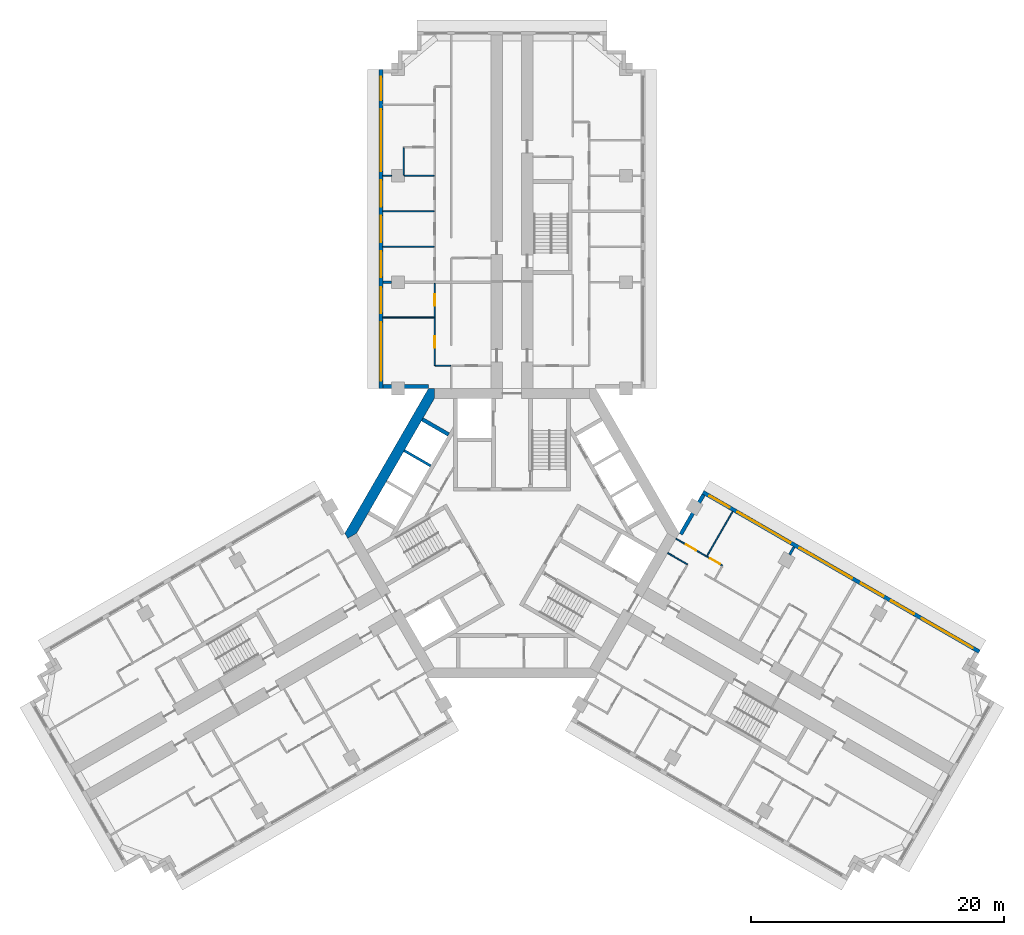
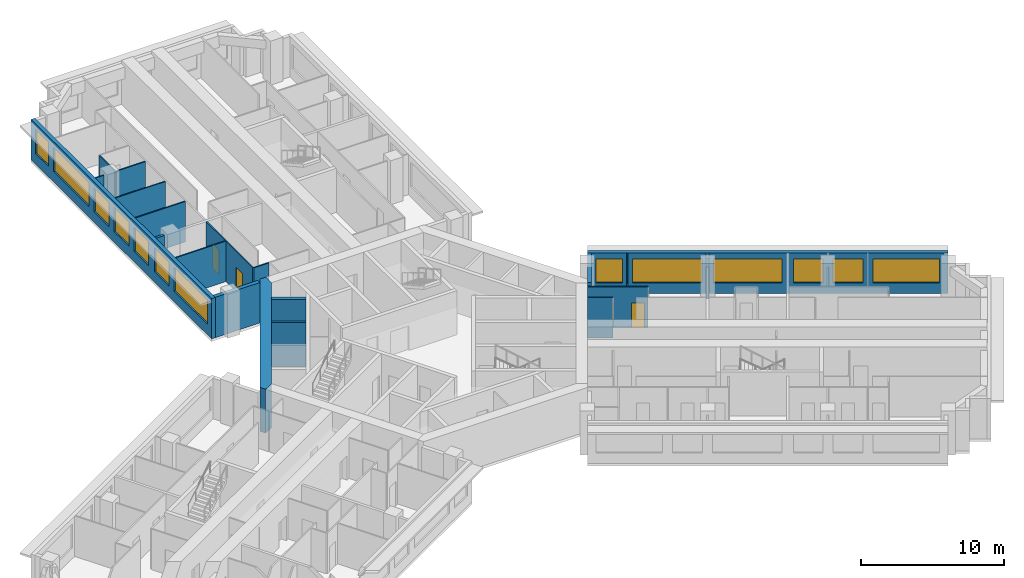
# One storey, part 7 of 12: 20 walls, 13 windows, 4 doors, 17 openings.
"""IFC4 building model written with IfcOpenShell, lengths in metres."""

import ifcopenshell
import ifcopenshell.guid

model = None  # the IFC model being written
_history = None  # IfcOwnerHistory: only IFC2X3 demands one
_inside = {}  # id of a spatial element -> (the spatial element, [elements in it])
_under = {}  # id of a project, library or spatial element -> (it, [spatial elements below it])
_declared = {}  # id of a project -> (the project, [libraries it declares])
_typed = {}  # id of a type object -> (the type object, [elements of that type])
_made_of = {}  # id of a material, layer set ... -> (it, [elements and type objects made of it])


def new_model(schema):
    """Start an empty IFC model of exactly this schema.

    Asked for "IFC4X3", IfcOpenShell would pick the latest addendum, in which some entities
    have other attributes; the version numbers below select the first issue.
    IFC2X3 requires an IfcOwnerHistory on every rooted entity: one is made here for all.
    """
    global model, _history
    if schema == "IFC4X3":
        model = ifcopenshell.file(schema_version=(4, 3, 0, 0))
    else:
        model = ifcopenshell.file(schema=schema)
    _inside.clear()
    _under.clear()
    _declared.clear()
    _typed.clear()
    _made_of.clear()
    _history = None
    if model.schema == "IFC2X3":
        org = make("IfcOrganization", Name="unknown")
        user = make(
            "IfcPersonAndOrganization",
            ThePerson=make("IfcPerson", FamilyName="unknown"),
            TheOrganization=org,
        )
        app = make(
            "IfcApplication",
            ApplicationDeveloper=org,
            Version="unknown",
            ApplicationFullName="unknown",
            ApplicationIdentifier="unknown",
        )
        _history = make(
            "IfcOwnerHistory",
            OwningUser=user,
            OwningApplication=app,
            ChangeAction="ADDED",
            CreationDate=0,
        )
    return model


def make(cls, **values):
    """One entity of the class cls with the attributes given. An attribute that is None is left unset."""
    return model.create_entity(
        cls, **{name: value for name, value in values.items() if value is not None}
    )


def rooted(cls, **values):
    """An entity with a GlobalId (a new one), such as an element, a storey or a relation."""
    return make(cls, GlobalId=ifcopenshell.guid.new(), OwnerHistory=_history, **values)


def si_unit(unit_type, name, prefix=None):
    """IfcSIUnit, for example si_unit("LENGTHUNIT", "METRE", prefix="MILLI")."""
    return make("IfcSIUnit", UnitType=unit_type, Prefix=prefix, Name=name)


def assignment(units):
    """IfcUnitAssignment: the units of a project."""
    return None if units is None else make("IfcUnitAssignment", Units=units)


def point(xyz):
    """IfcCartesianPoint."""
    return None if xyz is None else make("IfcCartesianPoint", Coordinates=xyz)


def direction(xyz):
    """IfcDirection."""
    return None if xyz is None else make("IfcDirection", DirectionRatios=xyz)


def frame(location, z_axis=None, x_axis=None):
    """IfcAxis2Placement3D, a coordinate frame: its origin and axes. An axis left out is left unset."""
    return make(
        "IfcAxis2Placement3D",
        Location=point(location),
        Axis=direction(z_axis),
        RefDirection=direction(x_axis),
    )


def frame_2d(location, x_axis=None):
    """IfcAxis2Placement2D, a coordinate frame in the plane: its origin and x axis."""
    return make(
        "IfcAxis2Placement2D", Location=point(location), RefDirection=direction(x_axis)
    )


def origin():
    """The frame at (0, 0, 0) with its axes left unset."""
    return frame((0.0, 0.0, 0.0))


def place(relative_to, where):
    """IfcLocalPlacement: puts the frame where relative to a parent placement (None: the world)."""
    return make(
        "IfcLocalPlacement", PlacementRelTo=relative_to, RelativePlacement=where
    )


def context(
    kind, dimensions, precision=None, world=None, true_north=None, identifier=None
):
    """IfcGeometricRepresentationContext, for example the 3D "Model" context."""
    return make(
        "IfcGeometricRepresentationContext",
        ContextIdentifier=identifier,
        ContextType=kind,
        CoordinateSpaceDimension=dimensions,
        Precision=precision,
        WorldCoordinateSystem=world,
        TrueNorth=true_north,
    )


def subcontext(parent, identifier, kind, view, scale=None):
    """IfcGeometricRepresentationSubContext, for example "Body" below "Model"."""
    return make(
        "IfcGeometricRepresentationSubContext",
        ContextIdentifier=identifier,
        ContextType=kind,
        ParentContext=parent,
        TargetScale=scale,
        TargetView=view,
    )


def project(units=None, contexts=None):
    """IfcProject with its units and contexts."""
    return rooted(
        "IfcProject",
        Name="project",
        RepresentationContexts=contexts,
        UnitsInContext=assignment(units),
    )


def spatial(cls, under=None, at=None, **own):
    """A site, building, storey or space (cls), placed at a placement, below another one or the project."""
    s = rooted(cls, ObjectPlacement=at, **own)
    if under is not None:
        _under.setdefault(under.id(), (under, []))[1].append(s)
    return s


def polyline(points):
    """IfcPolyline through the points."""
    return make("IfcPolyline", Points=[point(p) for p in points])


def profile(cls, at=None, kind="AREA", **sizes):
    """A parametric profile (cls). Its sizes go by their IFC names, for example OverallWidth=200.0."""
    return make(cls, ProfileType=kind, Position=at, **sizes)


def rectangle(**sizes):
    """IfcRectangleProfileDef."""
    return profile("IfcRectangleProfileDef", **sizes)


def outline(outer, holes=None, kind="AREA"):
    """IfcArbitraryClosedProfileDef: a profile drawn as a closed curve; with holes, ...WithVoids."""
    if holes is None:
        return make("IfcArbitraryClosedProfileDef", ProfileType=kind, OuterCurve=outer)
    return make(
        "IfcArbitraryProfileDefWithVoids",
        ProfileType=kind,
        OuterCurve=outer,
        InnerCurves=holes,
    )


def extrude(swept, where, along, depth):
    """IfcExtrudedAreaSolid: the profile swept, set in the frame where, extruded along a direction by depth."""
    return make(
        "IfcExtrudedAreaSolid",
        SweptArea=swept,
        Position=where,
        ExtrudedDirection=direction(along),
        Depth=depth,
    )


def shape(context_of_items, identifier, shape_type, items):
    """IfcShapeRepresentation: the items that make up one representation, for example the "Body"."""
    return make(
        "IfcShapeRepresentation",
        ContextOfItems=context_of_items,
        RepresentationIdentifier=identifier,
        RepresentationType=shape_type,
        Items=items,
    )


def material(Name=None, Category=None):
    """IfcMaterial."""
    return make("IfcMaterial", Name=Name, Category=Category)


def layer(
    of_material, thickness, ventilated=None, Name=None, Category=None, Priority=None
):
    """IfcMaterialLayer: one layer of a wall or slab, of a material (None: an air gap)."""
    return make(
        "IfcMaterialLayer",
        Material=of_material,
        LayerThickness=thickness,
        IsVentilated=ventilated,
        Name=Name,
        Category=Category,
        Priority=Priority,
    )


def layer_set(layers, Name=None):
    """IfcMaterialLayerSet."""
    return make("IfcMaterialLayerSet", MaterialLayers=layers, LayerSetName=Name)


def made_of(thing, what):
    """Note that an element or type object is made of a material, layer set ...; save() writes the relation."""
    if what is not None:
        _made_of.setdefault(what.id(), (what, []))[1].append(thing)
    return thing


def type_object(cls, material=None, **own):
    """A type object (cls), such as IfcWallType, which elements share."""
    return made_of(rooted(cls, **own), material)


def element(
    cls,
    number,
    at=None,
    inside=None,
    cuts=None,
    type_object=None,
    material=None,
    context=None,
    identifier="Body",
    shape_type=None,
    held_by="IfcProductDefinitionShape",
    body=None,
    shapes=None,
    **own,
):
    """One element of the class cls, such as IfcWall. Its Tag is "e" and its number.

    at: its placement. inside: the storey or other place that contains it. cuts: it is an
    opening in that element (IfcRelVoidsElement). A single representation is given by context,
    identifier, shape_type and body (its items); several are given by shapes. held_by: the class
    of the entity that holds the representations. save() writes the other relations.
    """
    e = rooted(cls, Tag="e%d" % number, ObjectPlacement=at, **own)
    if body is not None:
        shapes = [shape(context, identifier, shape_type, body)]
    if shapes is not None:
        e.Representation = make(held_by, Representations=shapes)
    if inside is not None:
        _inside.setdefault(inside.id(), (inside, []))[1].append(e)
    if cuts is not None:
        rooted(
            "IfcRelVoidsElement", RelatingBuildingElement=cuts, RelatedOpeningElement=e
        )
    if type_object is not None:
        _typed.setdefault(type_object.id(), (type_object, []))[1].append(e)
    return made_of(e, material)


def fill(opening, filler):
    """IfcRelFillsElement: the door or window that sits in an opening."""
    return rooted(
        "IfcRelFillsElement",
        RelatingOpeningElement=opening,
        RelatedBuildingElement=filler,
    )


def aggregate(whole, parts):
    """IfcRelAggregates: a whole, such as a stair, and the parts it consists of."""
    return rooted("IfcRelAggregates", RelatingObject=whole, RelatedObjects=parts)


def save(model, path):
    """Write the relations noted so far, then the file.

    IfcRelAggregates (storeys below a building ...), IfcRelContainedInSpatialStructure (elements
    in a storey), IfcRelDefinesByType, IfcRelAssociatesMaterial and IfcRelDeclares: one each for
    every whole, place, type object, material and project.
    """
    for whole, parts in _under.values():
        aggregate(whole, parts)
    for where, things in _inside.values():
        rooted(
            "IfcRelContainedInSpatialStructure",
            RelatedElements=things,
            RelatingStructure=where,
        )
    for kind, things in _typed.values():
        rooted("IfcRelDefinesByType", RelatedObjects=things, RelatingType=kind)
    for what, things in _made_of.values():
        rooted("IfcRelAssociatesMaterial", RelatedObjects=things, RelatingMaterial=what)
    for by, libraries in _declared.values():
        rooted("IfcRelDeclares", RelatingContext=by, RelatedDefinitions=libraries)
    model.write(path)


model = new_model("IFC4")

# Units and contexts
model_context = context("Model", 3, precision=1e-05, world=origin(), true_north=direction((0.0, 1.0)))
body_context = subcontext(model_context, "Body", "Model", "MODEL_VIEW")
ifc_project = project(units=[si_unit("LENGTHUNIT", "METRE"), si_unit("AREAUNIT", "SQUARE_METRE"), si_unit("VOLUMEUNIT", "CUBIC_METRE"), si_unit("PLANEANGLEUNIT", "RADIAN"), si_unit("MASSUNIT", "GRAM", prefix="KILO")], contexts=[model_context])

# Site, building, storey
site_placement = place(None, origin())
site = spatial("IfcSite", under=ifc_project, at=site_placement, CompositionType="ELEMENT")
building_placement = place(site_placement, origin())
building = spatial("IfcBuilding", under=site, at=building_placement, Name="Impinga Residences", CompositionType="ELEMENT")
storey_placement = place(building_placement, frame((0.0, 0.0, 177.25)))
storey = spatial("IfcBuildingStorey", under=building, at=storey_placement, Name="L44", CompositionType="ELEMENT", Elevation=177.25)

# Wall
ifc_material_1 = material(Name="Terracotta rainscreen on blockwork", Category="masonry")
ifc_layer_1 = layer(ifc_material_1, 0.300048828125)
ifc_layer_set_1 = layer_set([ifc_layer_1], Name="EW1 external wall, terracotta rainscreen on blockwork 300")
wall_type_1 = type_object("IfcWallType", Name="EW1 external wall, terracotta rainscreen on blockwork 300", PredefinedType="SOLIDWALL", material=ifc_layer_set_1)
wall_1_placement = place(storey_placement, frame((-6.60009765625, 11.58154296875, 0.0), z_axis=(0.0, 0.0, 1.0), x_axis=(-1.0, 0.0, 0.0)))
element("IfcWall", 1, at=wall_1_placement, inside=storey, type_object=wall_type_1, Name="External wall EW1 L44", PredefinedType="SOLIDWALL", context=body_context, shape_type="SweptSolid", body=[
    extrude(rectangle(XDim=3.599853515625, YDim=0.300048828125, at=frame_2d((1.7998046875, 0.0))), origin(), (0.0, 0.0, 1.0), 3.449951171875),
])

# Wall, openings, windows
wall_2_placement = place(storey_placement, frame((-10.35009765625, 11.431640625, 0.0), z_axis=(0.0, 0.0, 1.0), x_axis=(0.0, 1.0, 0.0)))
wall_2 = element("IfcWall", 2, at=wall_2_placement, inside=storey, type_object=wall_type_1, Name="External wall EW1 L44", PredefinedType="SOLIDWALL", context=body_context, shape_type="SweptSolid", body=[
    extrude(rectangle(XDim=25.199951171875, YDim=0.300048828125, at=frame_2d((12.60009765625, 0.0))), origin(), (0.0, 0.0, 1.0), 3.449951171875),
])
opening_1_placement = place(wall_2_placement, frame((0.60009765625, 0.0, 0.89990234375)))
opening_1 = element("IfcOpeningElement", 3, at=opening_1_placement, cuts=wall_2, Name="Opening W10", PredefinedType="OPENING", context=body_context, shape_type="SweptSolid", body=[
    extrude(rectangle(XDim=4.64990234375, YDim=2.050048828125, at=frame_2d((2.324951171875, 1.02490234375))), frame((0.0, 0.159912109375, 0.0), z_axis=(0.0, -1.0, 0.0), x_axis=(1.0, 0.0, 0.0)), (0.0, 0.0, 1.0), 0.320068359375),
])
opening_2_placement = place(wall_2_placement, frame((5.949951171875, 0.0, 0.89990234375)))
opening_2 = element("IfcOpeningElement", 4, at=opening_2_placement, cuts=wall_2, Name="Opening W14", PredefinedType="OPENING", context=body_context, shape_type="SweptSolid", body=[
    extrude(rectangle(XDim=2.050048828125, YDim=2.050048828125, at=frame_2d((1.02490234375, 1.02490234375))), frame((0.0, 0.159912109375, 0.0), z_axis=(0.0, -1.0, 0.0), x_axis=(1.0, 0.0, 0.0)), (0.0, 0.0, 1.0), 0.320068359375),
])
opening_3_placement = place(wall_2_placement, frame((8.800048828125, 0.0, 0.89990234375)))
opening_3 = element("IfcOpeningElement", 5, at=opening_3_placement, cuts=wall_2, Name="Opening W14", PredefinedType="OPENING", context=body_context, shape_type="SweptSolid", body=[
    extrude(rectangle(XDim=2.050048828125, YDim=2.050048828125, at=frame_2d((1.02490234375, 1.02490234375))), frame((0.0, 0.159912109375, 0.0), z_axis=(0.0, -1.0, 0.0), x_axis=(1.0, 0.0, 0.0)), (0.0, 0.0, 1.0), 0.320068359375),
])
opening_4_placement = place(wall_2_placement, frame((11.550048828125, 0.0, 0.89990234375)))
opening_4 = element("IfcOpeningElement", 6, at=opening_4_placement, cuts=wall_2, Name="Opening W9", PredefinedType="OPENING", context=body_context, shape_type="SweptSolid", body=[
    extrude(rectangle(XDim=2.10009765625, YDim=2.050048828125, at=frame_2d((1.050048828125, 1.02490234375))), frame((0.0, 0.159912109375, 0.0), z_axis=(0.0, -1.0, 0.0), x_axis=(1.0, 0.0, 0.0)), (0.0, 0.0, 1.0), 0.320068359375),
])
opening_5_placement = place(wall_2_placement, frame((14.35009765625, 0.0, 0.89990234375)))
opening_5 = element("IfcOpeningElement", 7, at=opening_5_placement, cuts=wall_2, Name="Opening W9", PredefinedType="OPENING", context=body_context, shape_type="SweptSolid", body=[
    extrude(rectangle(XDim=2.10009765625, YDim=2.050048828125, at=frame_2d((1.050048828125, 1.02490234375))), frame((0.0, 0.159912109375, 0.0), z_axis=(0.0, -1.0, 0.0), x_axis=(1.0, 0.0, 0.0)), (0.0, 0.0, 1.0), 0.320068359375),
])
opening_6_placement = place(wall_2_placement, frame((17.14990234375, 0.0, 0.89990234375)))
opening_6 = element("IfcOpeningElement", 8, at=opening_6_placement, cuts=wall_2, Name="Opening W16", PredefinedType="OPENING", context=body_context, shape_type="SweptSolid", body=[
    extrude(rectangle(XDim=4.89990234375, YDim=2.050048828125, at=frame_2d((2.449951171875, 1.02490234375))), frame((0.0, 0.159912109375, 0.0), z_axis=(0.0, -1.0, 0.0), x_axis=(1.0, 0.0, 0.0)), (0.0, 0.0, 1.0), 0.320068359375),
])
opening_7_placement = place(wall_2_placement, frame((22.75, 0.0, 0.89990234375)))
opening_7 = element("IfcOpeningElement", 9, at=opening_7_placement, cuts=wall_2, Name="Opening W15", PredefinedType="OPENING", context=body_context, shape_type="SweptSolid", body=[
    extrude(rectangle(XDim=1.85009765625, YDim=2.050048828125, at=frame_2d((0.925048828125, 1.02490234375))), frame((0.0, 0.159912109375, 0.0), z_axis=(0.0, -1.0, 0.0), x_axis=(1.0, 0.0, 0.0)), (0.0, 0.0, 1.0), 0.320068359375),
])
ifc_material_2 = material(Name="Aluminium window, clear double glazing", Category="aluminium")
window_type_1 = type_object("IfcWindowType", Name="W10 ribbon window 4650x2050", PartitioningType="SINGLE_PANEL", PredefinedType="WINDOW", material=ifc_material_2)
window_1_placement = place(opening_1_placement, origin())
window_1 = element("IfcWindow", 10, at=window_1_placement, inside=storey, type_object=window_type_1, Name="Window L44", OverallHeight=2.050048828125, OverallWidth=4.64990234375, PartitioningType="SINGLE_PANEL", PredefinedType="WINDOW", context=body_context, shape_type="SweptSolid", body=[
    extrude(rectangle(XDim=4.64990234375, YDim=2.050048828125, at=frame_2d((2.324951171875, 1.02490234375))), frame((0.0, 0.030029296875, 0.0), z_axis=(0.0, -1.0, 0.0), x_axis=(1.0, 0.0, 0.0)), (0.0, 0.0, 1.0), 0.06005859375),
])
fill(opening_1, window_1)
window_type_2 = type_object("IfcWindowType", Name="W14 ribbon window 2050x2050", PartitioningType="SINGLE_PANEL", PredefinedType="WINDOW", material=ifc_material_2)
window_2_placement = place(opening_2_placement, origin())
window_2 = element("IfcWindow", 11, at=window_2_placement, inside=storey, type_object=window_type_2, Name="Window L44", OverallHeight=2.050048828125, OverallWidth=2.050048828125, PartitioningType="SINGLE_PANEL", PredefinedType="WINDOW", context=body_context, shape_type="SweptSolid", body=[
    extrude(rectangle(XDim=2.050048828125, YDim=2.050048828125, at=frame_2d((1.02490234375, 1.02490234375))), frame((0.0, 0.030029296875, 0.0), z_axis=(0.0, -1.0, 0.0), x_axis=(1.0, 0.0, 0.0)), (0.0, 0.0, 1.0), 0.06005859375),
])
fill(opening_2, window_2)
window_3_placement = place(opening_3_placement, origin())
window_3 = element("IfcWindow", 12, at=window_3_placement, inside=storey, type_object=window_type_2, Name="Window L44", OverallHeight=2.050048828125, OverallWidth=2.050048828125, PartitioningType="SINGLE_PANEL", PredefinedType="WINDOW", context=body_context, shape_type="SweptSolid", body=[
    extrude(rectangle(XDim=2.050048828125, YDim=2.050048828125, at=frame_2d((1.02490234375, 1.02490234375))), frame((0.0, 0.030029296875, 0.0), z_axis=(0.0, -1.0, 0.0), x_axis=(1.0, 0.0, 0.0)), (0.0, 0.0, 1.0), 0.06005859375),
])
fill(opening_3, window_3)
window_type_3 = type_object("IfcWindowType", Name="W15 ribbon window 1850x2050", PartitioningType="SINGLE_PANEL", PredefinedType="WINDOW", material=ifc_material_2)
window_4_placement = place(opening_7_placement, origin())
window_4 = element("IfcWindow", 13, at=window_4_placement, inside=storey, type_object=window_type_3, Name="Window L44", OverallHeight=2.050048828125, OverallWidth=1.85009765625, PartitioningType="SINGLE_PANEL", PredefinedType="WINDOW", context=body_context, shape_type="SweptSolid", body=[
    extrude(rectangle(XDim=1.85009765625, YDim=2.050048828125, at=frame_2d((0.925048828125, 1.02490234375))), frame((0.0, 0.030029296875, 0.0), z_axis=(0.0, -1.0, 0.0), x_axis=(1.0, 0.0, 0.0)), (0.0, 0.0, 1.0), 0.06005859375),
])
fill(opening_7, window_4)
window_type_4 = type_object("IfcWindowType", Name="W16 ribbon window 4900x2050", PartitioningType="SINGLE_PANEL", PredefinedType="WINDOW", material=ifc_material_2)
window_5_placement = place(opening_6_placement, origin())
window_5 = element("IfcWindow", 14, at=window_5_placement, inside=storey, type_object=window_type_4, Name="Window L44", OverallHeight=2.050048828125, OverallWidth=4.89990234375, PartitioningType="SINGLE_PANEL", PredefinedType="WINDOW", context=body_context, shape_type="SweptSolid", body=[
    extrude(rectangle(XDim=4.89990234375, YDim=2.050048828125, at=frame_2d((2.449951171875, 1.02490234375))), frame((0.0, 0.030029296875, 0.0), z_axis=(0.0, -1.0, 0.0), x_axis=(1.0, 0.0, 0.0)), (0.0, 0.0, 1.0), 0.06005859375),
])
fill(opening_6, window_5)
window_type_5 = type_object("IfcWindowType", Name="W9 ribbon window 2100x2050", PartitioningType="SINGLE_PANEL", PredefinedType="WINDOW", material=ifc_material_2)
window_6_placement = place(opening_4_placement, origin())
window_6 = element("IfcWindow", 15, at=window_6_placement, inside=storey, type_object=window_type_5, Name="Window L44", OverallHeight=2.050048828125, OverallWidth=2.10009765625, PartitioningType="SINGLE_PANEL", PredefinedType="WINDOW", context=body_context, shape_type="SweptSolid", body=[
    extrude(rectangle(XDim=2.10009765625, YDim=2.050048828125, at=frame_2d((1.050048828125, 1.02490234375))), frame((0.0, 0.030029296875, 0.0), z_axis=(0.0, -1.0, 0.0), x_axis=(1.0, 0.0, 0.0)), (0.0, 0.0, 1.0), 0.06005859375),
])
fill(opening_4, window_6)
window_7_placement = place(opening_5_placement, origin())
window_7 = element("IfcWindow", 16, at=window_7_placement, inside=storey, type_object=window_type_5, Name="Window L44", OverallHeight=2.050048828125, OverallWidth=2.10009765625, PartitioningType="SINGLE_PANEL", PredefinedType="WINDOW", context=body_context, shape_type="SweptSolid", body=[
    extrude(rectangle(XDim=2.10009765625, YDim=2.050048828125, at=frame_2d((1.050048828125, 1.02490234375))), frame((0.0, 0.030029296875, 0.0), z_axis=(0.0, -1.0, 0.0), x_axis=(1.0, 0.0, 0.0)), (0.0, 0.0, 1.0), 0.06005859375),
])
fill(opening_5, window_7)

# Wall
wall_3_placement = place(storey_placement, frame((13.329833984375, -0.074951171875, 0.0), z_axis=(0.0, 0.0, 1.0), x_axis=(0.500012057535, 0.866018442252, 0.0)))
element("IfcWall", 17, at=wall_3_placement, inside=storey, type_object=wall_type_1, Name="External wall EW1 L44", PredefinedType="SOLIDWALL", context=body_context, shape_type="SweptSolid", body=[
    extrude(rectangle(XDim=3.60009765625, YDim=0.300048828125, at=frame_2d((1.800048828125, 0.0))), origin(), (0.0, 0.0, 1.0), 3.449951171875),
])

# Wall, openings, windows
wall_4_placement = place(storey_placement, frame((15.074951171875, 3.24755859375, 0.0), z_axis=(0.0, 0.0, 1.0), x_axis=(0.86602925447, -0.499993330357, 0.0)))
wall_4 = element("IfcWall", 18, at=wall_4_placement, inside=storey, type_object=wall_type_1, Name="External wall EW1 L44", PredefinedType="SOLIDWALL", context=body_context, shape_type="SweptSolid", body=[
    extrude(rectangle(XDim=25.199951171875, YDim=0.300048828125, at=frame_2d((12.60009765625, 0.0))), origin(), (0.0, 0.0, 1.0), 3.449951171875),
])
opening_8_placement = place(wall_4_placement, frame((0.60009765625, 0.0, 0.89990234375)))
opening_8 = element("IfcOpeningElement", 19, at=opening_8_placement, cuts=wall_4, Name="Opening W15", PredefinedType="OPENING", context=body_context, shape_type="SweptSolid", body=[
    extrude(rectangle(XDim=1.85009765625, YDim=2.050048828125, at=frame_2d((0.925048828125, 1.02490234375))), frame((0.0, 0.159912109375, 0.0), z_axis=(0.0, -1.0, 0.0), x_axis=(1.0, 0.0, 0.0)), (0.0, 0.0, 1.0), 0.320068359375),
])
opening_9_placement = place(wall_4_placement, frame((3.14990234375, 0.0, 0.89990234375)))
opening_9 = element("IfcOpeningElement", 20, at=opening_9_placement, cuts=wall_4, Name="Opening W6", PredefinedType="OPENING", context=body_context, shape_type="SweptSolid", body=[
    extrude(rectangle(XDim=4.85009765625, YDim=2.050048828125, at=frame_2d((2.425048828125, 1.02490234375))), frame((0.0, 0.159912109375, 0.0), z_axis=(0.0, -1.0, 0.0), x_axis=(1.0, 0.0, 0.0)), (0.0, 0.0, 1.0), 0.320068359375),
])
opening_10_placement = place(wall_4_placement, frame((8.800048828125, 0.0, 0.89990234375)))
opening_10 = element("IfcOpeningElement", 21, at=opening_10_placement, cuts=wall_4, Name="Opening W8", PredefinedType="OPENING", context=body_context, shape_type="SweptSolid", body=[
    extrude(rectangle(XDim=4.800048828125, YDim=2.050048828125, at=frame_2d((2.39990234375, 1.02490234375))), frame((0.0, 0.159912109375, 0.0), z_axis=(0.0, -1.0, 0.0), x_axis=(1.0, 0.0, 0.0)), (0.0, 0.0, 1.0), 0.320068359375),
])
opening_11_placement = place(wall_4_placement, frame((14.39990234375, 0.0, 0.89990234375)))
opening_11 = element("IfcOpeningElement", 22, at=opening_11_placement, cuts=wall_4, Name="Opening W14", PredefinedType="OPENING", context=body_context, shape_type="SweptSolid", body=[
    extrude(rectangle(XDim=2.050048828125, YDim=2.050048828125, at=frame_2d((1.02490234375, 1.02490234375))), frame((0.0, 0.159912109375, 0.0), z_axis=(0.0, -1.0, 0.0), x_axis=(1.0, 0.0, 0.0)), (0.0, 0.0, 1.0), 0.320068359375),
])
opening_12_placement = place(wall_4_placement, frame((17.14990234375, 0.0, 0.89990234375)))
opening_12 = element("IfcOpeningElement", 23, at=opening_12_placement, cuts=wall_4, Name="Opening W9", PredefinedType="OPENING", context=body_context, shape_type="SweptSolid", body=[
    extrude(rectangle(XDim=2.10009765625, YDim=2.050048828125, at=frame_2d((1.050048828125, 1.02490234375))), frame((0.0, 0.159912109375, 0.0), z_axis=(0.0, -1.0, 0.0), x_axis=(1.0, 0.0, 0.0)), (0.0, 0.0, 1.0), 0.320068359375),
])
opening_13_placement = place(wall_4_placement, frame((19.949951171875, 0.0, 0.89990234375)))
opening_13 = element("IfcOpeningElement", 24, at=opening_13_placement, cuts=wall_4, Name="Opening W10", PredefinedType="OPENING", context=body_context, shape_type="SweptSolid", body=[
    extrude(rectangle(XDim=4.64990234375, YDim=2.050048828125, at=frame_2d((2.324951171875, 1.02490234375))), frame((0.0, 0.159912109375, 0.0), z_axis=(0.0, -1.0, 0.0), x_axis=(1.0, 0.0, 0.0)), (0.0, 0.0, 1.0), 0.320068359375),
])
window_8_placement = place(opening_13_placement, origin())
window_8 = element("IfcWindow", 25, at=window_8_placement, inside=storey, type_object=window_type_1, Name="Window L44", OverallHeight=2.050048828125, OverallWidth=4.64990234375, PartitioningType="SINGLE_PANEL", PredefinedType="WINDOW", context=body_context, shape_type="SweptSolid", body=[
    extrude(rectangle(XDim=4.64990234375, YDim=2.050048828125, at=frame_2d((2.324951171875, 1.02490234375))), frame((0.0, 0.030029296875, 0.0), z_axis=(0.0, -1.0, 0.0), x_axis=(1.0, 0.0, 0.0)), (0.0, 0.0, 1.0), 0.06005859375),
])
fill(opening_13, window_8)
window_9_placement = place(opening_11_placement, origin())
window_9 = element("IfcWindow", 26, at=window_9_placement, inside=storey, type_object=window_type_2, Name="Window L44", OverallHeight=2.050048828125, OverallWidth=2.050048828125, PartitioningType="SINGLE_PANEL", PredefinedType="WINDOW", context=body_context, shape_type="SweptSolid", body=[
    extrude(rectangle(XDim=2.050048828125, YDim=2.050048828125, at=frame_2d((1.02490234375, 1.02490234375))), frame((0.0, 0.030029296875, 0.0), z_axis=(0.0, -1.0, 0.0), x_axis=(1.0, 0.0, 0.0)), (0.0, 0.0, 1.0), 0.06005859375),
])
fill(opening_11, window_9)
window_10_placement = place(opening_8_placement, origin())
window_10 = element("IfcWindow", 27, at=window_10_placement, inside=storey, type_object=window_type_3, Name="Window L44", OverallHeight=2.050048828125, OverallWidth=1.85009765625, PartitioningType="SINGLE_PANEL", PredefinedType="WINDOW", context=body_context, shape_type="SweptSolid", body=[
    extrude(rectangle(XDim=1.85009765625, YDim=2.050048828125, at=frame_2d((0.925048828125, 1.02490234375))), frame((0.0, 0.030029296875, 0.0), z_axis=(0.0, -1.0, 0.0), x_axis=(1.0, 0.0, 0.0)), (0.0, 0.0, 1.0), 0.06005859375),
])
fill(opening_8, window_10)
window_type_6 = type_object("IfcWindowType", Name="W6 ribbon window 4850x2050", PartitioningType="SINGLE_PANEL", PredefinedType="WINDOW", material=ifc_material_2)
window_11_placement = place(opening_9_placement, origin())
window_11 = element("IfcWindow", 28, at=window_11_placement, inside=storey, type_object=window_type_6, Name="Window L44", OverallHeight=2.050048828125, OverallWidth=4.85009765625, PartitioningType="SINGLE_PANEL", PredefinedType="WINDOW", context=body_context, shape_type="SweptSolid", body=[
    extrude(rectangle(XDim=4.85009765625, YDim=2.050048828125, at=frame_2d((2.425048828125, 1.02490234375))), frame((0.0, 0.030029296875, 0.0), z_axis=(0.0, -1.0, 0.0), x_axis=(1.0, 0.0, 0.0)), (0.0, 0.0, 1.0), 0.06005859375),
])
fill(opening_9, window_11)
window_type_7 = type_object("IfcWindowType", Name="W8 ribbon window 4800x2050", PartitioningType="SINGLE_PANEL", PredefinedType="WINDOW", material=ifc_material_2)
window_12_placement = place(opening_10_placement, origin())
window_12 = element("IfcWindow", 29, at=window_12_placement, inside=storey, type_object=window_type_7, Name="Window L44", OverallHeight=2.050048828125, OverallWidth=4.800048828125, PartitioningType="SINGLE_PANEL", PredefinedType="WINDOW", context=body_context, shape_type="SweptSolid", body=[
    extrude(rectangle(XDim=4.800048828125, YDim=2.050048828125, at=frame_2d((2.39990234375, 1.02490234375))), frame((0.0, 0.030029296875, 0.0), z_axis=(0.0, -1.0, 0.0), x_axis=(1.0, 0.0, 0.0)), (0.0, 0.0, 1.0), 0.06005859375),
])
fill(opening_10, window_12)
window_13_placement = place(opening_12_placement, origin())
window_13 = element("IfcWindow", 30, at=window_13_placement, inside=storey, type_object=window_type_5, Name="Window L44", OverallHeight=2.050048828125, OverallWidth=2.10009765625, PartitioningType="SINGLE_PANEL", PredefinedType="WINDOW", context=body_context, shape_type="SweptSolid", body=[
    extrude(rectangle(XDim=2.10009765625, YDim=2.050048828125, at=frame_2d((1.050048828125, 1.02490234375))), frame((0.0, 0.030029296875, 0.0), z_axis=(0.0, -1.0, 0.0), x_axis=(1.0, 0.0, 0.0)), (0.0, 0.0, 1.0), 0.06005859375),
])
fill(opening_12, window_13)

# Wall, openings, doors
ifc_material_3 = material(Name="Gypsum board on steel studs", Category="steel")
ifc_layer_2 = layer(ifc_material_3, 0.10009765625)
ifc_layer_set_2 = layer_set([ifc_layer_2], Name="Gypsum board on steel studs")
wall_type_2 = type_object("IfcWallType", Name="IP1 partition 100", PredefinedType="PARTITIONING", material=ifc_layer_set_2)
wall_5_placement = place(storey_placement, frame((-6.10009765625, 13.2314453125, 0.0), z_axis=(0.0, 0.0, 1.0), x_axis=(0.0, 1.0, 0.0)))
wall_5 = element("IfcWall", 31, at=wall_5_placement, inside=storey, type_object=wall_type_2, Name="Partition L44-NA1:STRIP", PredefinedType="PARTITIONING", context=body_context, shape_type="SweptSolid", body=[
    extrude(rectangle(XDim=6.5, YDim=0.10009765625, at=frame_2d((3.25, 0.0))), origin(), (0.0, 0.0, 1.0), 3.449951171875),
])
opening_14_placement = place(wall_5_placement, frame((1.425048828125, 0.0, 0.0)))
opening_14 = element("IfcOpeningElement", 32, at=opening_14_placement, cuts=wall_5, Name="Opening D2", PredefinedType="OPENING", context=body_context, shape_type="SweptSolid", body=[
    extrude(rectangle(XDim=0.89990234375, YDim=2.10009765625, at=frame_2d((0.449951171875, 1.050048828125))), frame((0.0, 0.06005859375, 0.0), z_axis=(0.0, -1.0, 0.0), x_axis=(1.0, 0.0, 0.0)), (0.0, 0.0, 1.0), 0.1201171875),
])
opening_15_placement = place(wall_5_placement, frame((4.72509765625, 0.0, 0.0)))
opening_15 = element("IfcOpeningElement", 33, at=opening_15_placement, cuts=wall_5, Name="Opening D2", PredefinedType="OPENING", context=body_context, shape_type="SweptSolid", body=[
    extrude(rectangle(XDim=0.89990234375, YDim=2.10009765625, at=frame_2d((0.449951171875, 1.050048828125))), frame((0.0, 0.06005859375, 0.0), z_axis=(0.0, -1.0, 0.0), x_axis=(1.0, 0.0, 0.0)), (0.0, 0.0, 1.0), 0.1201171875),
])
ifc_material_4 = material(Name="Timber door set", Category="wood")
door_type = type_object("IfcDoorType", Name="D2 internal door 900x2100", OperationType="SINGLE_SWING_LEFT", PredefinedType="DOOR", material=ifc_material_4)
door_1_placement = place(opening_14_placement, origin())
door_1 = element("IfcDoor", 34, at=door_1_placement, inside=storey, type_object=door_type, Name="Apartment L44-NA1 room door", OperationType="SINGLE_SWING_LEFT", OverallHeight=2.10009765625, OverallWidth=0.89990234375, PredefinedType="DOOR", context=body_context, shape_type="SweptSolid", body=[
    extrude(rectangle(XDim=0.89990234375, YDim=2.10009765625, at=frame_2d((0.449951171875, 1.050048828125))), frame((0.0, 0.02490234375, 0.0), z_axis=(0.0, -1.0, 0.0), x_axis=(1.0, 0.0, 0.0)), (0.0, 0.0, 1.0), 0.050048828125),
])
fill(opening_14, door_1)
door_2_placement = place(opening_15_placement, origin())
door_2 = element("IfcDoor", 35, at=door_2_placement, inside=storey, type_object=door_type, Name="Apartment L44-NA1 room door", OperationType="SINGLE_SWING_RIGHT", OverallHeight=2.10009765625, OverallWidth=0.89990234375, PredefinedType="DOOR", context=body_context, shape_type="SweptSolid", body=[
    extrude(rectangle(XDim=0.89990234375, YDim=2.10009765625, at=frame_2d((0.449951171875, 1.050048828125))), frame((0.0, 0.02490234375, 0.0), z_axis=(0.0, -1.0, 0.0), x_axis=(1.0, 0.0, 0.0)), (0.0, 0.0, 1.0), 0.050048828125),
])
fill(opening_15, door_2)

# Walls
wall_6_placement = place(storey_placement, frame((-4.85009765625, 13.2314453125, 0.0), z_axis=(0.0, 0.0, 1.0), x_axis=(-1.0, 0.0, 0.0)))
element("IfcWall", 36, at=wall_6_placement, inside=storey, type_object=wall_type_2, Name="Partition L44-NA1:SE0", PredefinedType="PARTITIONING", context=body_context, shape_type="SweptSolid", body=[
    extrude(rectangle(XDim=1.199951171875, YDim=0.10009765625, at=frame_2d((0.60009765625, 0.0))), origin(), (0.0, 0.0, 1.0), 3.449951171875),
])
for number, where, z_axis, x_axis, name in (
    (37, (-6.14990234375, 17.031494140625, 0.0), (0.0, 0.0, 1.0), (-1.0, 0.0, 0.0), "Partition L44-NA1:OB1"),
    (38, (-6.14990234375, 22.631591796875, 0.0), (0.0, 0.0, 1.0), (-1.0, 0.0, 0.0), "Partition L44-NA2:OB1"),
    (39, (-6.14990234375, 25.431640625, 0.0), (0.0, 0.0, 1.0), (-1.0, 0.0, 0.0), "Partition L44-NA2:OB2"),
):
    element("IfcWall", number, at=place(storey_placement, frame(where, z_axis=z_axis, x_axis=x_axis)), inside=storey, type_object=wall_type_2, Name=name, PredefinedType="PARTITIONING", context=body_context, shape_type="SweptSolid", body=[
        extrude(rectangle(XDim=4.050048828125, YDim=0.10009765625, at=frame_2d((2.02490234375, 0.0))), origin(), (0.0, 0.0, 1.0), 3.449951171875),
    ])
wall_7_placement = place(storey_placement, frame((-6.14990234375, 28.2314453125, 0.0), z_axis=(0.0, 0.0, 1.0), x_axis=(-1.0, 0.0, 0.0)))
element("IfcWall", 40, at=wall_7_placement, inside=storey, type_object=wall_type_2, Name="Partition L44-NA2:OB3", PredefinedType="PARTITIONING", context=body_context, shape_type="SweptSolid", body=[
    extrude(rectangle(XDim=2.35009765625, YDim=0.10009765625, at=frame_2d((1.175048828125, 0.0))), origin(), (0.0, 0.0, 1.0), 3.449951171875),
])
wall_8_placement = place(storey_placement, frame((-9.5, 28.2314453125, 0.0), z_axis=(0.0, 0.0, 1.0), x_axis=(-1.0, 0.0, 0.0)))
element("IfcWall", 41, at=wall_8_placement, inside=storey, type_object=wall_type_2, Name="Partition L44-NA2:OB3b", PredefinedType="PARTITIONING", context=body_context, shape_type="SweptSolid", body=[
    extrude(rectangle(XDim=0.699951171875, YDim=0.10009765625, at=frame_2d((0.35009765625, 0.0))), origin(), (0.0, 0.0, 1.0), 3.449951171875),
])
wall_9_placement = place(storey_placement, frame((-8.550048828125, 28.281494140625, 0.0), z_axis=(0.0, 0.0, 1.0), x_axis=(0.0, 1.0, 0.0)))
element("IfcWall", 42, at=wall_9_placement, inside=storey, type_object=wall_type_2, Name="Partition L44-NA2:EN2", PredefinedType="PARTITIONING", context=body_context, shape_type="SweptSolid", body=[
    extrude(rectangle(XDim=2.150146484375, YDim=0.10009765625, at=frame_2d((1.0751953125, 0.0))), origin(), (0.0, 0.0, 1.0), 3.449951171875),
])
wall_10_placement = place(storey_placement, frame((12.300048828125, -1.558837890625, 0.0), z_axis=(0.0, 0.0, 1.0), x_axis=(0.866047807691, -0.499961193289, 0.0)))
element("IfcWall", 43, at=wall_10_placement, inside=storey, type_object=wall_type_2, Name="Partition L44-EA1:DIV0", PredefinedType="PARTITIONING", context=body_context, shape_type="SweptSolid", body=[
    extrude(rectangle(XDim=1.800048828125, YDim=0.10009765625, at=frame_2d((0.89990234375, 0.0))), origin(), (0.0, 0.0, 1.0), 3.449951171875),
])

# Wall, openings, doors
wall_11_placement = place(storey_placement, frame((12.949951171875, -0.43310546875, 0.0), z_axis=(0.0, 0.0, 1.0), x_axis=(0.866028703517, -0.499994284652, 0.0)))
wall_11 = element("IfcWall", 44, at=wall_11_placement, inside=storey, type_object=wall_type_2, Name="Partition L44-EA1:STRIP", PredefinedType="PARTITIONING", context=body_context, shape_type="SweptSolid", body=[
    extrude(rectangle(XDim=4.25, YDim=0.10009765625, at=frame_2d((2.125, 0.0))), origin(), (0.0, 0.0, 1.0), 3.449951171875),
])
opening_16_placement = place(wall_11_placement, frame((0.925048828125, 0.0, 0.0)))
opening_16 = element("IfcOpeningElement", 45, at=opening_16_placement, cuts=wall_11, Name="Opening D2", PredefinedType="OPENING", context=body_context, shape_type="SweptSolid", body=[
    extrude(rectangle(XDim=0.89990234375, YDim=2.10009765625, at=frame_2d((0.449951171875, 1.050048828125))), frame((0.0, 0.06005859375, 0.0), z_axis=(0.0, -1.0, 0.0), x_axis=(1.0, 0.0, 0.0)), (0.0, 0.0, 1.0), 0.1201171875),
])
opening_17_placement = place(wall_11_placement, frame((3.10009765625, 0.0, 0.0)))
opening_17 = element("IfcOpeningElement", 46, at=opening_17_placement, cuts=wall_11, Name="Opening D2", PredefinedType="OPENING", context=body_context, shape_type="SweptSolid", body=[
    extrude(rectangle(XDim=0.89990234375, YDim=2.10009765625, at=frame_2d((0.449951171875, 1.050048828125))), frame((0.0, 0.06005859375, 0.0), z_axis=(0.0, -1.0, 0.0), x_axis=(1.0, 0.0, 0.0)), (0.0, 0.0, 1.0), 0.1201171875),
])
door_3_placement = place(opening_16_placement, origin())
door_3 = element("IfcDoor", 47, at=door_3_placement, inside=storey, type_object=door_type, Name="Apartment L44-EA1 room door", OperationType="SINGLE_SWING_LEFT", OverallHeight=2.10009765625, OverallWidth=0.89990234375, PredefinedType="DOOR", context=body_context, shape_type="SweptSolid", body=[
    extrude(rectangle(XDim=0.89990234375, YDim=2.10009765625, at=frame_2d((0.449951171875, 1.050048828125))), frame((0.0, 0.02490234375, 0.0), z_axis=(0.0, -1.0, 0.0), x_axis=(1.0, 0.0, 0.0)), (0.0, 0.0, 1.0), 0.050048828125),
])
fill(opening_16, door_3)
door_4_placement = place(opening_17_placement, origin())
door_4 = element("IfcDoor", 48, at=door_4_placement, inside=storey, type_object=door_type, Name="Apartment L44-EA1 room door", OperationType="SINGLE_SWING_RIGHT", OverallHeight=2.10009765625, OverallWidth=0.89990234375, PredefinedType="DOOR", context=body_context, shape_type="SweptSolid", body=[
    extrude(rectangle(XDim=0.89990234375, YDim=2.10009765625, at=frame_2d((0.449951171875, 1.050048828125))), frame((0.0, 0.02490234375, 0.0), z_axis=(0.0, -1.0, 0.0), x_axis=(1.0, 0.0, 0.0)), (0.0, 0.0, 1.0), 0.050048828125),
])
fill(opening_17, door_4)

# Walls
wall_12_placement = place(storey_placement, frame((15.39990234375, -1.789794921875, 0.0), z_axis=(0.0, 0.0, 1.0), x_axis=(0.499964223975, 0.866046058097, 0.0)))
element("IfcWall", 49, at=wall_12_placement, inside=storey, type_object=wall_type_2, Name="Partition L44-EA1:OB1", PredefinedType="PARTITIONING", context=body_context, shape_type="SweptSolid", body=[
    extrude(rectangle(XDim=4.050048828125, YDim=0.10009765625, at=frame_2d((2.02490234375, 0.0))), origin(), (0.0, 0.0, 1.0), 3.449951171875),
])
ifc_material_5 = material(Name="Concrete blockwork", Category="masonry")
ifc_layer_3 = layer(ifc_material_5, 0.199951171875)
ifc_layer_set_3 = layer_set([ifc_layer_3], Name="PW1 party wall between apartments 200")
wall_type_3 = type_object("IfcWallType", Name="PW1 party wall between apartments 200", PredefinedType="SOLIDWALL", material=ifc_layer_set_3)
for number, where, z_axis, x_axis, name in (
    (50, (-9.5, 19.83154296875, 0.0), (0.0, 0.0, 1.0), (-1.0, 0.0, 0.0), "Party wall between apartments L44-NA1:PARTYb"),
    (51, (21.924560546875, -1.6884765625, 0.0), (0.0, 0.0, 1.0), (0.500114896893, 0.865959057869, 0.0), "Party wall between apartments L44-EA1:PARTYb"),
):
    element("IfcWall", number, at=place(storey_placement, frame(where, z_axis=z_axis, x_axis=x_axis)), inside=storey, type_object=wall_type_3, Name=name, PredefinedType="SOLIDWALL", context=body_context, shape_type="SweptSolid", body=[
        extrude(rectangle(XDim=0.699951171875, YDim=0.199951171875, at=frame_2d((0.35009765625, 0.0))), origin(), (0.0, 0.0, 1.0), 3.449951171875),
    ])
ifc_material_6 = material(Name="Concrete C60/75", Category="concrete")
ifc_layer_4 = layer(ifc_material_6, 0.800048828125)
ifc_layer_set_4 = layer_set([ifc_layer_4], Name="Concrete C60/75")
wall_type_4 = type_object("IfcWallType", Name="SW2 core wall 800", PredefinedType="SHEAR", material=ifc_layer_set_4)
wall_13_placement = place(storey_placement, origin())
element("IfcWall", 52, at=wall_13_placement, inside=storey, type_object=wall_type_4, Name="Core wall SW2 E:EXPOSED L44", PredefinedType="SHEAR", context=body_context, shape_type="SweptSolid", body=[
    extrude(outline(polyline([(-6.60009765625, 11.431640625), (-13.199951171875, 0.0), (-12.968994140625, -0.39990234375), (-12.276123046875, 0.0), (-6.13818359375, 10.631591796875), (-6.13818359375, 11.431640625), (-6.60009765625, 11.431640625)])), origin(), (0.0, 0.0, 1.0), 3.75),
])
ifc_material_7 = material(Name="Concrete C70/85", Category="concrete")
ifc_layer_5 = layer(ifc_material_7, 0.300048828125)
ifc_layer_set_5 = layer_set([ifc_layer_5], Name="Concrete C70/85")
wall_type_5 = type_object("IfcWallType", Name="SW5 core inner wall, stairs, shafts and lobbies 300", PredefinedType="SHEAR", material=ifc_layer_set_5)
wall_14_placement = place(storey_placement, frame((-5.003662109375, 7.79638671875, 0.0), z_axis=(0.0, 0.0, 1.0), x_axis=(-0.866050077142, 0.499957262057, 0.0)))
element("IfcWall", 53, at=wall_14_placement, inside=storey, type_object=wall_type_5, Name="Core wall SW5 E:BANK-R L44", PredefinedType="SHEAR", context=body_context, shape_type="SweptSolid", body=[
    extrude(rectangle(XDim=2.400146484375, YDim=0.300048828125, at=frame_2d((1.2001953125, 0.0))), origin(), (0.0, 0.0, 1.0), 3.75),
])
ifc_layer_6 = layer(ifc_material_7, 0.199951171875)
ifc_layer_set_6 = layer_set([ifc_layer_6], Name="Concrete C70/85")
wall_type_6 = type_object("IfcWallType", Name="SW6 lift shaft divider wall 200", PredefinedType="SHEAR", material=ifc_layer_set_6)
wall_15_placement = place(storey_placement, frame((-6.4287109375, 5.328125, 0.0), z_axis=(0.0, 0.0, 1.0), x_axis=(-0.865980596518, 0.500077600433, 0.0)))
element("IfcWall", 54, at=wall_15_placement, inside=storey, type_object=wall_type_6, Name="Core wall SW6 E:BANK-D2 L44", PredefinedType="SHEAR", context=body_context, shape_type="SweptSolid", body=[
    extrude(rectangle(XDim=2.39990234375, YDim=0.199951171875, at=frame_2d((1.199951171875, 0.0))), origin(), (0.0, 0.0, 1.0), 3.75),
])

save(model, "model.ifc")
